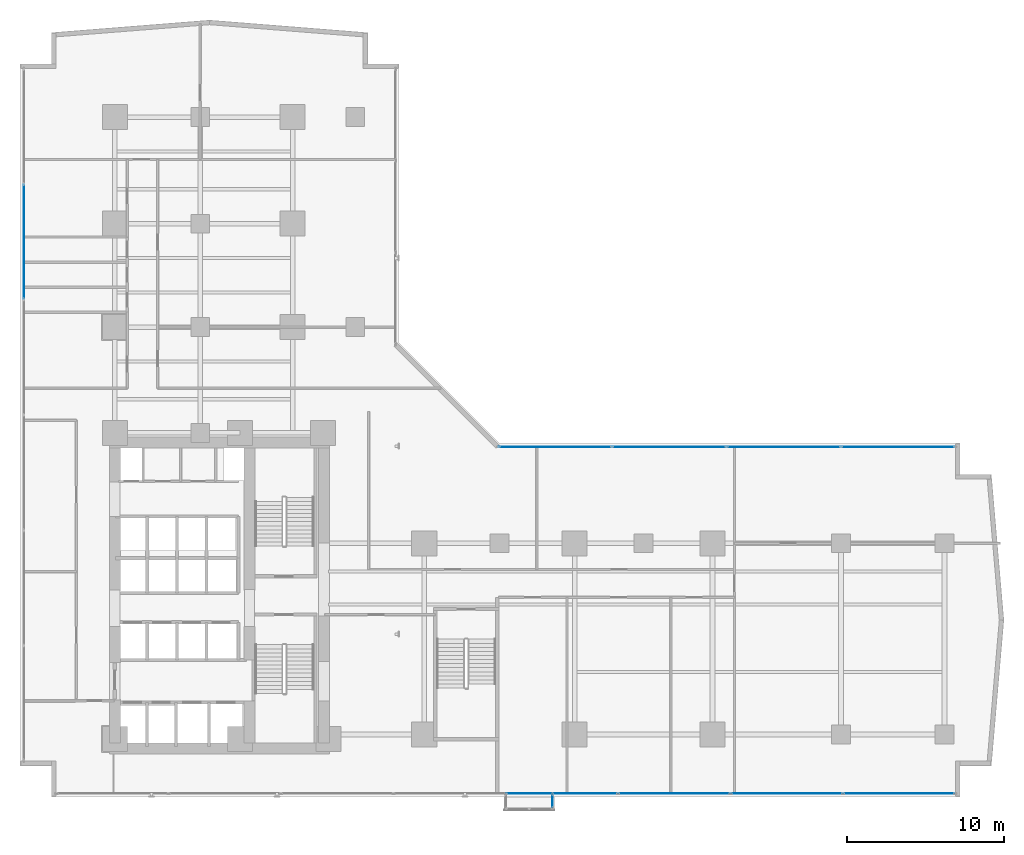
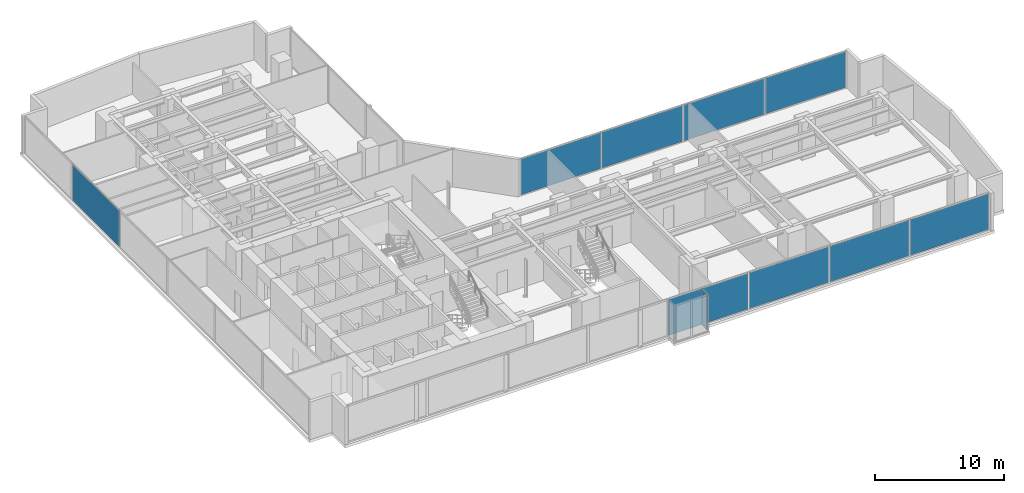
# One storey, part 22 of 31: 10 plates, 4 elements without a shape of their own.
"""IFC4 building model written with IfcOpenShell, lengths in metres."""

from ifc_helpers import new_model, si_unit, direction, frame, origin, origin_with_axes, origin_2d, place, context, subcontext, project, spatial, rectangle, extrude, source, transform, mapped, material, layer, layer_set, type_object, element, aggregate, save


model = new_model("IFC4")

# Units and contexts
model_context = context("Model", 3, precision=1e-05, world=origin(), true_north=direction((0.0, 1.0)))
body_context = subcontext(model_context, "Body", "Model", "MODEL_VIEW")
ifc_project = project(units=[si_unit("LENGTHUNIT", "METRE"), si_unit("AREAUNIT", "SQUARE_METRE"), si_unit("VOLUMEUNIT", "CUBIC_METRE"), si_unit("PLANEANGLEUNIT", "RADIAN"), si_unit("MASSUNIT", "GRAM", prefix="KILO")], contexts=[model_context])

# Site, building, storey
site_placement = place(None, origin())
site = spatial("IfcSite", under=ifc_project, at=site_placement, CompositionType="ELEMENT")
building_placement = place(site_placement, origin())
building = spatial("IfcBuilding", under=site, at=building_placement, Name="Kolvaren Waterfront Exchange", CompositionType="ELEMENT")
storey_placement = place(building_placement, frame((0.0, 0.0, 67.60009765625)))
storey = spatial("IfcBuildingStorey", under=building, at=storey_placement, Name="L17", CompositionType="ELEMENT", Elevation=67.60009765625)

# Curtain wall, plates
ifc_material_1 = material(Name="Anodised bronze aluminium 6063-T6", Category="aluminium")
ifc_layer_1 = layer(ifc_material_1, 0.219970703125, Name="Anodised bronze aluminium 6063-T6")
ifc_layer_set_1 = layer_set([ifc_layer_1], Name="Anodised bronze aluminium 6063-T6")
curtain_wall_type_1 = type_object("IfcCurtainWallType", Name="ARC-CW-SYS1", PredefinedType="USERDEFINED", material=ifc_layer_set_1)
curtain_wall_1_placement = place(storey_placement, origin())
curtain_wall_1 = element("IfcCurtainWall", 1, at=curtain_wall_1_placement, inside=storey, type_object=curtain_wall_type_1, Name="L17 stick curtain wall CW1 (CW-L17-S)", ObjectType="STICK CURTAIN WALL", PredefinedType="USERDEFINED")
ifc_material_2 = material(Name="Bronze solar control vision glass", Category="aluminium")
ifc_layer_2 = layer(ifc_material_2, 0.028076171875, Name="Bronze solar control vision glass")
ifc_layer_set_2 = layer_set([ifc_layer_2], Name="Bronze solar control vision glass")
plate_type_1 = type_object("IfcPlateType", Name="ARC-CWP-28", PredefinedType="CURTAIN_PANEL", material=ifc_layer_set_2)
shared_shape_1 = source(origin_with_axes(), body_context, "Body", "SweptSolid", [
    extrude(rectangle(XDim=7.054931640625, YDim=0.028076171875, at=origin_2d()), origin(), (0.0, 0.0, 1.0), 3.389892578125),
])
plate_1_placement = place(storey_placement, frame((57.492431640625, 1.43994140625, 0.0751953125), z_axis=(0.0, 0.0, 1.0), x_axis=(1.0, 0.0, 0.0)))
plate_1 = element("IfcPlate", 2, at=plate_1_placement, type_object=plate_type_1, Name="CW1 panel 8.1", PredefinedType="CURTAIN_PANEL", context=body_context, shape_type="MappedRepresentation", body=[
    mapped(shared_shape_1, transform((0.0, 0.0, 0.0), x_axis=(1.0, 0.0, 0.0), y_axis=(0.0, 1.0, 0.0), z_axis=(0.0, 0.0, 1.0), scale=1.0)),
])
shared_shape_2 = source(origin_with_axes(), body_context, "Body", "SweptSolid", [
    extrude(rectangle(XDim=7.094970703125, YDim=0.028076171875, at=origin_2d()), origin(), (0.0, 0.0, 1.0), 3.389892578125),
])
plate_2_placement = place(storey_placement, frame((35.987548828125, 1.43994140625, 0.0751953125), z_axis=(0.0, 0.0, 1.0), x_axis=(1.0, 0.0, 0.0)))
plate_2 = element("IfcPlate", 3, at=plate_2_placement, type_object=plate_type_1, Name="CW1 panel 5.1", PredefinedType="CURTAIN_PANEL", context=body_context, shape_type="MappedRepresentation", body=[
    mapped(shared_shape_2, transform((0.0, 0.0, 0.0), x_axis=(1.0, 0.0, 0.0), y_axis=(0.0, 1.0, 0.0), z_axis=(0.0, 0.0, 1.0), scale=1.0)),
])
plate_3_placement = place(storey_placement, frame((43.16259765625, 1.43994140625, 0.0751953125), z_axis=(0.0, 0.0, 1.0), x_axis=(1.0, 0.0, 0.0)))
plate_3 = element("IfcPlate", 4, at=plate_3_placement, type_object=plate_type_1, Name="CW1 panel 6.1", PredefinedType="CURTAIN_PANEL", context=body_context, shape_type="MappedRepresentation", body=[
    mapped(shared_shape_2, transform((0.0, 0.0, 0.0), x_axis=(1.0, 0.0, 0.0), y_axis=(0.0, 1.0, 0.0), z_axis=(0.0, 0.0, 1.0), scale=1.0)),
])
plate_4_placement = place(storey_placement, frame((50.33740234375, 1.43994140625, 0.0751953125), z_axis=(0.0, 0.0, 1.0), x_axis=(1.0, 0.0, 0.0)))
plate_4 = element("IfcPlate", 5, at=plate_4_placement, type_object=plate_type_1, Name="CW1 panel 7.1", PredefinedType="CURTAIN_PANEL", context=body_context, shape_type="MappedRepresentation", body=[
    mapped(shared_shape_2, transform((0.0, 0.0, 0.0), x_axis=(1.0, 0.0, 0.0), y_axis=(0.0, 1.0, 0.0), z_axis=(0.0, 0.0, 1.0), scale=1.0)),
])
aggregate(curtain_wall_1, [plate_2, plate_3, plate_4, plate_1])

# Curtain wall, plate
ifc_material_3 = material(Name="Anodised aluminium 6063-T6", Category="aluminium")
ifc_layer_3 = layer(ifc_material_3, 0.219970703125, Name="Anodised aluminium 6063-T6")
ifc_layer_set_3 = layer_set([ifc_layer_3], Name="Anodised aluminium 6063-T6")
curtain_wall_type_2 = type_object("IfcCurtainWallType", Name="ARC-CW-SYS2", PredefinedType="USERDEFINED", material=ifc_layer_set_3)
curtain_wall_2_placement = place(storey_placement, origin())
curtain_wall_2 = element("IfcCurtainWall", 6, at=curtain_wall_2_placement, inside=storey, type_object=curtain_wall_type_2, Name="L17 stick curtain wall CW2 (CW-L17-W)", ObjectType="STICK CURTAIN WALL", PredefinedType="USERDEFINED")
ifc_material_4 = material(Name="Acoustic laminated vision glass", Category="glass")
ifc_layer_4 = layer(ifc_material_4, 0.031982421875, Name="Acoustic laminated vision glass")
ifc_layer_set_4 = layer_set([ifc_layer_4], Name="Acoustic laminated vision glass")
plate_type_2 = type_object("IfcPlateType", Name="ARC-CWP-32", PredefinedType="CURTAIN_PANEL", material=ifc_layer_set_4)
shared_shape_3 = source(origin_with_axes(), body_context, "Body", "SweptSolid", [
    extrude(rectangle(XDim=7.28662109375, YDim=0.031982421875, at=origin_2d()), origin(), (0.0, 0.0, 1.0), 3.389892578125),
])
plate_5_placement = place(storey_placement, frame((1.639892578125, 36.64990234375, 0.0751953125), z_axis=(0.0, 0.0, 1.0), x_axis=(0.0, 1.0, 0.0)))
plate_5 = element("IfcPlate", 7, at=plate_5_placement, type_object=plate_type_2, Name="CW2 panel 5.1", PredefinedType="CURTAIN_PANEL", context=body_context, shape_type="MappedRepresentation", body=[
    mapped(shared_shape_3, transform((0.0, 0.0, 0.0), x_axis=(1.0, 0.0, 0.0), y_axis=(0.0, 1.0, 0.0), z_axis=(0.0, 0.0, 1.0), scale=1.0)),
])
aggregate(curtain_wall_2, [plate_5])

# Curtain wall, plates
curtain_wall_3_placement = place(storey_placement, origin())
curtain_wall_3 = element("IfcCurtainWall", 8, at=curtain_wall_3_placement, inside=storey, type_object=curtain_wall_type_1, Name="L17 stick curtain wall CW1 (CW-L17-EN)", ObjectType="STICK CURTAIN WALL", PredefinedType="USERDEFINED")
shared_shape_4 = source(origin_with_axes(), body_context, "Body", "SweptSolid", [
    extrude(rectangle(XDim=7.1826171875, YDim=0.028076171875, at=origin_2d()), origin(), (0.0, 0.0, 1.0), 3.389892578125),
])
plate_6_placement = place(storey_placement, frame((35.561279296875, 23.56005859375, 0.0751953125), z_axis=(0.0, 0.0, 1.0), x_axis=(1.0, 0.0, 0.0)))
plate_6 = element("IfcPlate", 9, at=plate_6_placement, type_object=plate_type_1, Name="CW1 panel 1.1", PredefinedType="CURTAIN_PANEL", context=body_context, shape_type="MappedRepresentation", body=[
    mapped(shared_shape_4, transform((0.0, 0.0, 0.0), x_axis=(1.0, 0.0, 0.0), y_axis=(0.0, 1.0, 0.0), z_axis=(0.0, 0.0, 1.0), scale=1.0)),
])
plate_7_placement = place(storey_placement, frame((57.4287109375, 23.56005859375, 0.0751953125), z_axis=(0.0, 0.0, 1.0), x_axis=(1.0, 0.0, 0.0)))
plate_7 = element("IfcPlate", 10, at=plate_7_placement, type_object=plate_type_1, Name="CW1 panel 4.1", PredefinedType="CURTAIN_PANEL", context=body_context, shape_type="MappedRepresentation", body=[
    mapped(shared_shape_4, transform((0.0, 0.0, 0.0), x_axis=(1.0, 0.0, 0.0), y_axis=(0.0, 1.0, 0.0), z_axis=(0.0, 0.0, 1.0), scale=1.0)),
])
shared_shape_5 = source(origin_with_axes(), body_context, "Body", "SweptSolid", [
    extrude(rectangle(XDim=7.222412109375, YDim=0.028076171875, at=origin_2d()), origin(), (0.0, 0.0, 1.0), 3.389892578125),
])
plate_8_placement = place(storey_placement, frame((42.84375, 23.56005859375, 0.0751953125), z_axis=(0.0, 0.0, 1.0), x_axis=(1.0, 0.0, 0.0)))
plate_8 = element("IfcPlate", 11, at=plate_8_placement, type_object=plate_type_1, Name="CW1 panel 2.1", PredefinedType="CURTAIN_PANEL", context=body_context, shape_type="MappedRepresentation", body=[
    mapped(shared_shape_5, transform((0.0, 0.0, 0.0), x_axis=(1.0, 0.0, 0.0), y_axis=(0.0, 1.0, 0.0), z_axis=(0.0, 0.0, 1.0), scale=1.0)),
])
plate_9_placement = place(storey_placement, frame((50.146240234375, 23.56005859375, 0.0751953125), z_axis=(0.0, 0.0, 1.0), x_axis=(1.0, 0.0, 0.0)))
plate_9 = element("IfcPlate", 12, at=plate_9_placement, type_object=plate_type_1, Name="CW1 panel 3.1", PredefinedType="CURTAIN_PANEL", context=body_context, shape_type="MappedRepresentation", body=[
    mapped(shared_shape_5, transform((0.0, 0.0, 0.0), x_axis=(1.0, 0.0, 0.0), y_axis=(0.0, 1.0, 0.0), z_axis=(0.0, 0.0, 1.0), scale=1.0)),
])
aggregate(curtain_wall_3, [plate_6, plate_8, plate_9, plate_7])

# Curtain wall, plate
ifc_layer_5 = layer(ifc_material_1, 0.219970703125, Name="Anodised bronze aluminium 6063-T6")
ifc_layer_set_5 = layer_set([ifc_layer_5], Name="Anodised bronze aluminium 6063-T6")
curtain_wall_type_3 = type_object("IfcCurtainWallType", Name="ARC-CW-SYS3", PredefinedType="USERDEFINED", material=ifc_layer_set_5)
curtain_wall_4_placement = place(storey_placement, origin())
curtain_wall_4 = element("IfcCurtainWall", 13, at=curtain_wall_4_placement, inside=storey, type_object=curtain_wall_type_3, Name="L17 stick curtain wall CW3 (CW-L17-BOX-E)", ObjectType="STICK CURTAIN WALL", PredefinedType="USERDEFINED")
ifc_material_5 = material(Name="Bronze tinted bay-box vision glass", Category="aluminium")
ifc_layer_6 = layer(ifc_material_5, 0.02392578125, Name="Bronze tinted bay-box vision glass")
ifc_layer_set_6 = layer_set([ifc_layer_6], Name="Bronze tinted bay-box vision glass")
plate_type_3 = type_object("IfcPlateType", Name="ARC-CWP-24", PredefinedType="CURTAIN_PANEL", material=ifc_layer_set_6)
shared_shape_6 = source(origin_with_axes(), body_context, "Body", "SweptSolid", [
    extrude(rectangle(XDim=0.830078125, YDim=0.02392578125, at=origin_2d()), origin(), (0.0, 0.0, 1.0), 3.409912109375),
])
plate_10_placement = place(storey_placement, frame((35.389892578125, 0.949951171875, 0.06494140625), z_axis=(0.0, 0.0, 1.0), x_axis=(0.0, 1.0, 0.0)))
plate_10 = element("IfcPlate", 14, at=plate_10_placement, type_object=plate_type_3, Name="CW3 panel 1.1", PredefinedType="CURTAIN_PANEL", context=body_context, shape_type="MappedRepresentation", body=[
    mapped(shared_shape_6, transform((0.0, 0.0, 0.0), x_axis=(1.0, 0.0, 0.0), y_axis=(0.0, 1.0, 0.0), z_axis=(0.0, 0.0, 1.0), scale=1.0)),
])
aggregate(curtain_wall_4, [plate_10])

save(model, "model.ifc")
